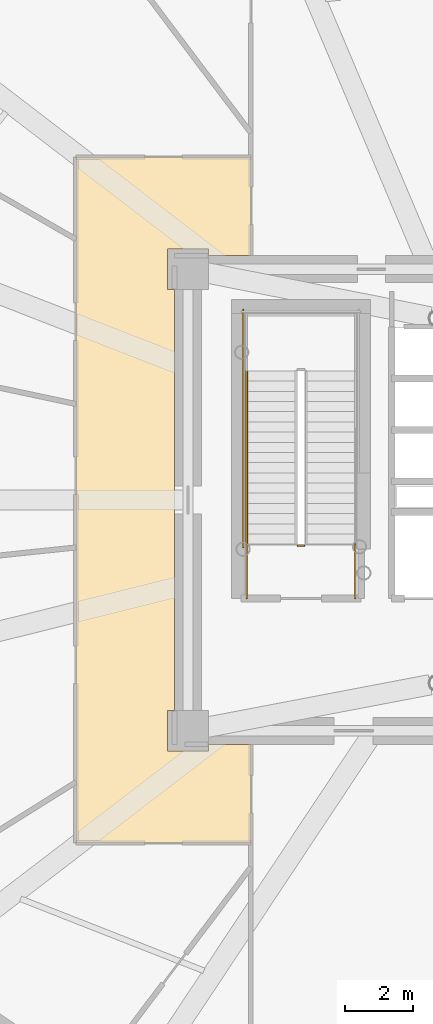
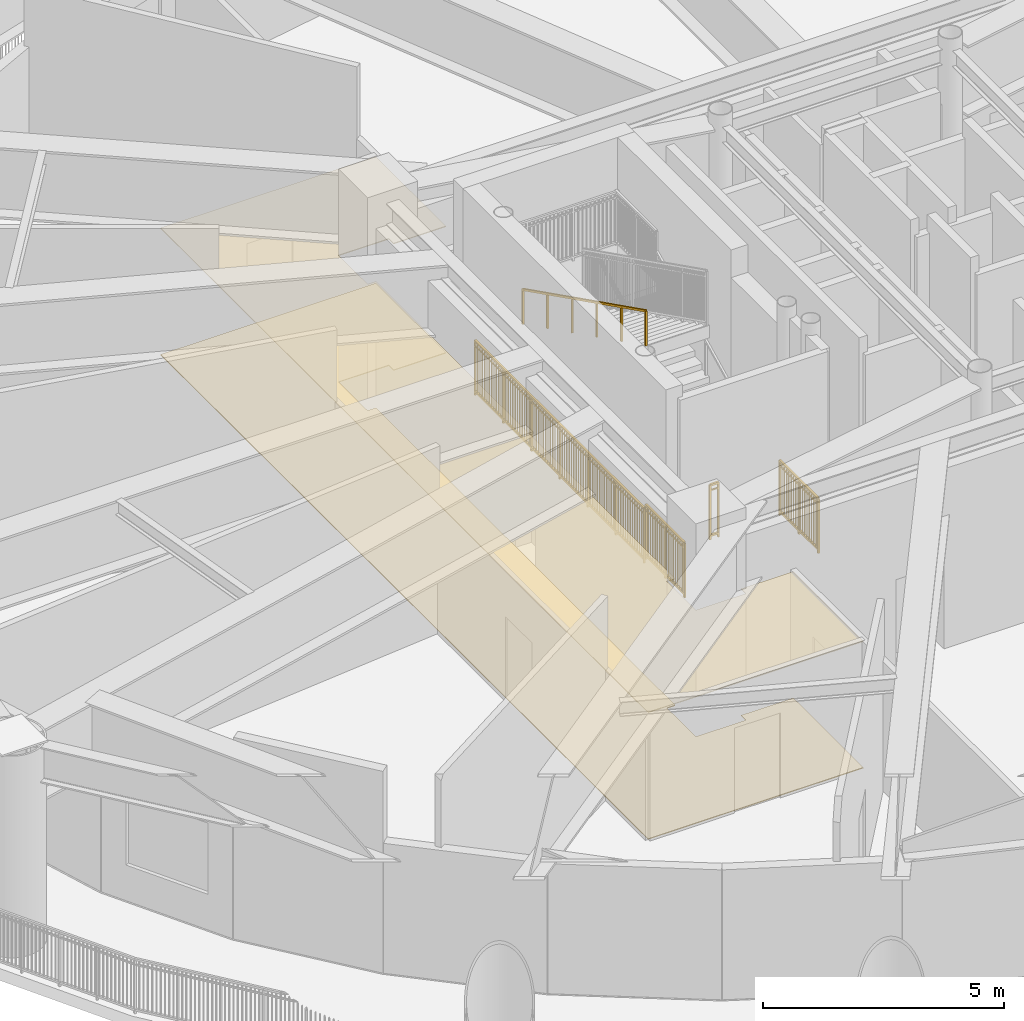
# One storey, part 9 of 15: 5 railings, 2 coverings.
"""IFC4 building model written with IfcOpenShell, lengths in metres."""

from ifc_helpers import new_model, si_unit, direction, frame, origin, origin_2d, place, context, subcontext, project, spatial, polyline, rectangle, outline, extrude, source, transform, mapped, material, layer, layer_set, type_object, element, save


model = new_model("IFC4")

# Units and contexts
model_context = context("Model", 3, precision=1e-05, world=origin(), true_north=direction((0.0, 1.0)))
body_context = subcontext(model_context, "Body", "Model", "MODEL_VIEW")
ifc_project = project(units=[si_unit("LENGTHUNIT", "METRE"), si_unit("AREAUNIT", "SQUARE_METRE"), si_unit("VOLUMEUNIT", "CUBIC_METRE"), si_unit("PLANEANGLEUNIT", "RADIAN"), si_unit("MASSUNIT", "GRAM", prefix="KILO")], contexts=[model_context])

# Site, building, storey
site_placement = place(None, origin())
site = spatial("IfcSite", under=ifc_project, at=site_placement, CompositionType="ELEMENT")
building_placement = place(site_placement, origin())
building = spatial("IfcBuilding", under=site, at=building_placement, Name="Linh Dai School and Residence Tower", CompositionType="ELEMENT")
storey_placement = place(building_placement, frame((0.0, 0.0, 145.949951171875)))
storey = spatial("IfcBuildingStorey", under=building, at=storey_placement, Name="L35", CompositionType="ELEMENT", Elevation=145.949951171875)

# Coverings
ifc_material_1 = material(Name="Mineral Fibre Acoustic Suspended Ceiling", Category="masonry")
ifc_layer_1 = layer(ifc_material_1, 0.02001953125)
ifc_layer_set_1 = layer_set([ifc_layer_1], Name="Mineral Fibre Acoustic Suspended Ceiling")
covering_type_1 = type_object("IfcCoveringType", Name="COV-CEIL-AC-20", PredefinedType="CEILING", material=ifc_layer_set_1)
covering_1_placement = place(storey_placement, frame((0.0, 0.0, 3.199951171875)))
element("IfcCovering", 1, at=covering_1_placement, inside=storey, type_object=covering_type_1, Name="L35 Plant and Refuge Access Corridor West Suspended Ceiling", PredefinedType="CEILING", context=body_context, shape_type="SweptSolid", body=[
    extrude(outline(polyline([(22.699951171875, 37.10009765625), (27.85009765625, 37.10009765625), (27.85009765625, 34.199951171875), (26.60009765625, 34.199951171875), (26.60009765625, 34.39990234375), (25.39990234375, 34.39990234375), (25.39990234375, 33.199951171875), (25.60009765625, 33.199951171875), (25.60009765625, 20.800048828125), (25.39990234375, 20.800048828125), (25.39990234375, 19.60009765625), (26.60009765625, 19.60009765625), (26.60009765625, 19.800048828125), (27.85009765625, 19.800048828125), (27.85009765625, 16.89990234375), (22.699951171875, 16.89990234375), (22.699951171875, 37.10009765625)])), origin(), (0.0, 0.0, 1.0), 0.02001953125),
])
ifc_material_2 = material(Name="Polished Terrazzo Floor Finish", Category="masonry")
ifc_layer_2 = layer(ifc_material_2, 0.02490234375)
ifc_layer_set_2 = layer_set([ifc_layer_2], Name="Polished Terrazzo Floor Finish")
covering_type_2 = type_object("IfcCoveringType", Name="COV-FLR-TRZ-25", PredefinedType="FLOORING", material=ifc_layer_set_2)
covering_2_placement = place(storey_placement, origin())
element("IfcCovering", 2, at=covering_2_placement, inside=storey, type_object=covering_type_2, Name="L35 Plant and Refuge Access Corridor West Floor Finish", PredefinedType="FLOORING", context=body_context, shape_type="SweptSolid", body=[
    extrude(outline(polyline([(22.699951171875, 37.10009765625), (27.85009765625, 37.10009765625), (27.85009765625, 34.199951171875), (26.60009765625, 34.199951171875), (26.60009765625, 34.39990234375), (25.39990234375, 34.39990234375), (25.39990234375, 33.199951171875), (25.60009765625, 33.199951171875), (25.60009765625, 20.800048828125), (25.39990234375, 20.800048828125), (25.39990234375, 19.60009765625), (26.60009765625, 19.60009765625), (26.60009765625, 19.800048828125), (27.85009765625, 19.800048828125), (27.85009765625, 16.89990234375), (22.699951171875, 16.89990234375), (22.699951171875, 37.10009765625)])), origin(), (0.0, 0.0, 1.0), 0.02001953125),
])

# Railings
ifc_material_3 = material(Name="Structural Steel S355JR", Category="steel")
railing_type_1 = type_object("IfcRailingType", Name="RL-ST-GUARD-1400", PredefinedType="GUARDRAIL", material=ifc_material_3)
shared_shape_1 = source(origin(), body_context, "Body", "SweptSolid", [
    extrude(rectangle(XDim=0.048095703125, YDim=0.048095703125, at=origin_2d()), frame((0.0, 0.0, 1.3759765625), z_axis=(-1.0, 0.0, 0.0), x_axis=(0.0, -1.0, 0.0)), (0.0, 0.0, 1.0), 0.199951171875),
    extrude(rectangle(XDim=0.048095703125, YDim=0.048095703125, at=origin_2d()), frame((0.0, 0.0, 0.10009765625), z_axis=(-1.0, 0.0, 0.0), x_axis=(0.0, -1.0, 0.0)), (0.0, 0.0, 1.0), 0.199951171875),
    extrude(rectangle(XDim=0.030029296875, YDim=0.030029296875, at=origin_2d()), frame((0.0, 0.0, 1.239990234375), z_axis=(-1.0, 0.0, 0.0), x_axis=(0.0, -1.0, 0.0)), (0.0, 0.0, 1.0), 0.199951171875),
    extrude(rectangle(XDim=0.0419921875, YDim=0.0419921875, at=origin_2d()), origin(), (0.0, 0.0, 1.0), 1.3759765625),
    extrude(rectangle(XDim=0.0419921875, YDim=0.0419921875, at=origin_2d()), frame((-0.199951171875, 0.0, 0.0)), (0.0, 0.0, 1.0), 1.3759765625),
])
railing_1_placement = place(storey_placement, frame((29.429931640625, 25.64990234375, 0.0)))
element("IfcRailing", 3, at=railing_1_placement, inside=storey, type_object=railing_type_1, Name="L35 ST1 stair guard 7", PredefinedType="GUARDRAIL", context=body_context, shape_type="MappedRepresentation", body=[
    mapped(shared_shape_1, transform((0.0, 0.0, 0.0), x_axis=(1.0, 0.0, 0.0), y_axis=(0.0, 1.0, 0.0), z_axis=(0.0, 0.0, 1.0), scale=1.0)),
])
shared_shape_2 = source(origin(), body_context, "Body", "SweptSolid", [
    extrude(rectangle(XDim=0.048095703125, YDim=0.048095703125, at=origin_2d()), frame((0.0, 0.0, 1.3759765625), z_axis=(0.0, 1.0, 0.0), x_axis=(-1.0, 0.0, 0.0)), (0.0, 0.0, 1.0), 1.599853515625),
    extrude(rectangle(XDim=0.048095703125, YDim=0.048095703125, at=origin_2d()), frame((0.0, 0.0, 0.10009765625), z_axis=(0.0, 1.0, 0.0), x_axis=(-1.0, 0.0, 0.0)), (0.0, 0.0, 1.0), 1.599853515625),
    extrude(rectangle(XDim=0.030029296875, YDim=0.030029296875, at=origin_2d()), frame((0.0, 0.0, 1.239990234375), z_axis=(0.0, 1.0, 0.0), x_axis=(-1.0, 0.0, 0.0)), (0.0, 0.0, 1.0), 1.599853515625),
    extrude(rectangle(XDim=0.02001953125, YDim=0.02001953125, at=origin_2d()), frame((0.0, 0.093994140625, 0.10009765625)), (0.0, 0.0, 1.0), 1.251708984375),
    extrude(rectangle(XDim=0.02001953125, YDim=0.02001953125, at=origin_2d()), frame((0.0, 0.188232421875, 0.10009765625)), (0.0, 0.0, 1.0), 1.251708984375),
    extrude(rectangle(XDim=0.02001953125, YDim=0.02001953125, at=origin_2d()), frame((0.0, 0.2822265625, 0.10009765625)), (0.0, 0.0, 1.0), 1.251708984375),
    extrude(rectangle(XDim=0.02001953125, YDim=0.02001953125, at=origin_2d()), frame((0.0, 0.37646484375, 0.10009765625)), (0.0, 0.0, 1.0), 1.251708984375),
    extrude(rectangle(XDim=0.02001953125, YDim=0.02001953125, at=origin_2d()), frame((0.0, 0.470458984375, 0.10009765625)), (0.0, 0.0, 1.0), 1.251708984375),
    extrude(rectangle(XDim=0.02001953125, YDim=0.02001953125, at=origin_2d()), frame((0.0, 0.564697265625, 0.10009765625)), (0.0, 0.0, 1.0), 1.251708984375),
    extrude(rectangle(XDim=0.02001953125, YDim=0.02001953125, at=origin_2d()), frame((0.0, 0.65869140625, 0.10009765625)), (0.0, 0.0, 1.0), 1.251708984375),
    extrude(rectangle(XDim=0.02001953125, YDim=0.02001953125, at=origin_2d()), frame((0.0, 0.7529296875, 0.10009765625)), (0.0, 0.0, 1.0), 1.251708984375),
    extrude(rectangle(XDim=0.02001953125, YDim=0.02001953125, at=origin_2d()), frame((0.0, 0.846923828125, 0.10009765625)), (0.0, 0.0, 1.0), 1.251708984375),
    extrude(rectangle(XDim=0.02001953125, YDim=0.02001953125, at=origin_2d()), frame((0.0, 0.941162109375, 0.10009765625)), (0.0, 0.0, 1.0), 1.251708984375),
    extrude(rectangle(XDim=0.02001953125, YDim=0.02001953125, at=origin_2d()), frame((0.0, 1.03515625, 0.10009765625)), (0.0, 0.0, 1.0), 1.251708984375),
    extrude(rectangle(XDim=0.02001953125, YDim=0.02001953125, at=origin_2d()), frame((0.0, 1.12939453125, 0.10009765625)), (0.0, 0.0, 1.0), 1.251708984375),
    extrude(rectangle(XDim=0.02001953125, YDim=0.02001953125, at=origin_2d()), frame((0.0, 1.223388671875, 0.10009765625)), (0.0, 0.0, 1.0), 1.251708984375),
    extrude(rectangle(XDim=0.02001953125, YDim=0.02001953125, at=origin_2d()), frame((0.0, 1.317626953125, 0.10009765625)), (0.0, 0.0, 1.0), 1.251708984375),
    extrude(rectangle(XDim=0.02001953125, YDim=0.02001953125, at=origin_2d()), frame((0.0, 1.41162109375, 0.10009765625)), (0.0, 0.0, 1.0), 1.251708984375),
    extrude(rectangle(XDim=0.02001953125, YDim=0.02001953125, at=origin_2d()), frame((0.0, 1.505859375, 0.10009765625)), (0.0, 0.0, 1.0), 1.251708984375),
    extrude(rectangle(XDim=0.0419921875, YDim=0.0419921875, at=origin_2d()), origin(), (0.0, 0.0, 1.0), 1.3759765625),
    extrude(rectangle(XDim=0.0419921875, YDim=0.0419921875, at=origin_2d()), frame((0.0, 0.7998046875, 0.0)), (0.0, 0.0, 1.0), 1.3759765625),
    extrude(rectangle(XDim=0.0419921875, YDim=0.0419921875, at=origin_2d()), frame((0.0, 1.599853515625, 0.0)), (0.0, 0.0, 1.0), 1.3759765625),
])
for number, where, name in (
    (4, (30.929931640625, 24.10009765625, 0.0), "L35 ST1 stair guard 8"),
    (5, (27.72998046875, 24.10009765625, 0.0), "L35 ST1 stair guard 9"),
):
    element("IfcRailing", number, at=place(storey_placement, frame(where)), inside=storey, type_object=railing_type_1, Name=name, PredefinedType="GUARDRAIL", context=body_context, shape_type="MappedRepresentation", body=[
        mapped(shared_shape_2, transform((0.0, 0.0, 0.0), x_axis=(1.0, 0.0, 0.0), y_axis=(0.0, 1.0, 0.0), z_axis=(0.0, 0.0, 1.0), scale=1.0)),
    ])
shared_shape_3 = source(origin(), body_context, "Body", "SweptSolid", [
    extrude(rectangle(XDim=0.048095703125, YDim=0.048095703125, at=origin_2d()), frame((0.0, 0.0, 1.3759765625), z_axis=(0.0, 1.0, 0.0), x_axis=(-1.0, 0.0, 0.0)), (0.0, 0.0, 1.0), 7.0),
    extrude(rectangle(XDim=0.048095703125, YDim=0.048095703125, at=origin_2d()), frame((0.0, 0.0, 0.10009765625), z_axis=(0.0, 1.0, 0.0), x_axis=(-1.0, 0.0, 0.0)), (0.0, 0.0, 1.0), 7.0),
    extrude(rectangle(XDim=0.030029296875, YDim=0.030029296875, at=origin_2d()), frame((0.0, 0.0, 1.239990234375), z_axis=(0.0, 1.0, 0.0), x_axis=(-1.0, 0.0, 0.0)), (0.0, 0.0, 1.0), 7.0),
    extrude(rectangle(XDim=0.02001953125, YDim=0.02001953125, at=origin_2d()), frame((0.0, 0.09716796875, 0.10009765625)), (0.0, 0.0, 1.0), 1.251708984375),
    extrude(rectangle(XDim=0.02001953125, YDim=0.02001953125, at=origin_2d()), frame((0.0, 0.1943359375, 0.10009765625)), (0.0, 0.0, 1.0), 1.251708984375),
    extrude(rectangle(XDim=0.02001953125, YDim=0.02001953125, at=origin_2d()), frame((0.0, 0.291748046875, 0.10009765625)), (0.0, 0.0, 1.0), 1.251708984375),
    extrude(rectangle(XDim=0.02001953125, YDim=0.02001953125, at=origin_2d()), frame((0.0, 0.388916015625, 0.10009765625)), (0.0, 0.0, 1.0), 1.251708984375),
    extrude(rectangle(XDim=0.02001953125, YDim=0.02001953125, at=origin_2d()), frame((0.0, 0.486083984375, 0.10009765625)), (0.0, 0.0, 1.0), 1.251708984375),
    extrude(rectangle(XDim=0.02001953125, YDim=0.02001953125, at=origin_2d()), frame((0.0, 0.583251953125, 0.10009765625)), (0.0, 0.0, 1.0), 1.251708984375),
    extrude(rectangle(XDim=0.02001953125, YDim=0.02001953125, at=origin_2d()), frame((0.0, 0.6806640625, 0.10009765625)), (0.0, 0.0, 1.0), 1.251708984375),
    extrude(rectangle(XDim=0.02001953125, YDim=0.02001953125, at=origin_2d()), frame((0.0, 0.77783203125, 0.10009765625)), (0.0, 0.0, 1.0), 1.251708984375),
    extrude(rectangle(XDim=0.02001953125, YDim=0.02001953125, at=origin_2d()), frame((0.0, 0.875, 0.10009765625)), (0.0, 0.0, 1.0), 1.251708984375),
    extrude(rectangle(XDim=0.02001953125, YDim=0.02001953125, at=origin_2d()), frame((0.0, 0.97216796875, 0.10009765625)), (0.0, 0.0, 1.0), 1.251708984375),
    extrude(rectangle(XDim=0.02001953125, YDim=0.02001953125, at=origin_2d()), frame((0.0, 1.0693359375, 0.10009765625)), (0.0, 0.0, 1.0), 1.251708984375),
    extrude(rectangle(XDim=0.02001953125, YDim=0.02001953125, at=origin_2d()), frame((0.0, 1.263916015625, 0.10009765625)), (0.0, 0.0, 1.0), 1.251708984375),
    extrude(rectangle(XDim=0.02001953125, YDim=0.02001953125, at=origin_2d()), frame((0.0, 1.361083984375, 0.10009765625)), (0.0, 0.0, 1.0), 1.251708984375),
    extrude(rectangle(XDim=0.02001953125, YDim=0.02001953125, at=origin_2d()), frame((0.0, 1.458251953125, 0.10009765625)), (0.0, 0.0, 1.0), 1.251708984375),
    extrude(rectangle(XDim=0.02001953125, YDim=0.02001953125, at=origin_2d()), frame((0.0, 1.5556640625, 0.10009765625)), (0.0, 0.0, 1.0), 1.251708984375),
    extrude(rectangle(XDim=0.02001953125, YDim=0.02001953125, at=origin_2d()), frame((0.0, 1.65283203125, 0.10009765625)), (0.0, 0.0, 1.0), 1.251708984375),
    extrude(rectangle(XDim=0.02001953125, YDim=0.02001953125, at=origin_2d()), frame((0.0, 1.75, 0.10009765625)), (0.0, 0.0, 1.0), 1.251708984375),
    extrude(rectangle(XDim=0.02001953125, YDim=0.02001953125, at=origin_2d()), frame((0.0, 1.84716796875, 0.10009765625)), (0.0, 0.0, 1.0), 1.251708984375),
    extrude(rectangle(XDim=0.02001953125, YDim=0.02001953125, at=origin_2d()), frame((0.0, 1.9443359375, 0.10009765625)), (0.0, 0.0, 1.0), 1.251708984375),
    extrude(rectangle(XDim=0.02001953125, YDim=0.02001953125, at=origin_2d()), frame((0.0, 2.041748046875, 0.10009765625)), (0.0, 0.0, 1.0), 1.251708984375),
    extrude(rectangle(XDim=0.02001953125, YDim=0.02001953125, at=origin_2d()), frame((0.0, 2.138916015625, 0.10009765625)), (0.0, 0.0, 1.0), 1.251708984375),
    extrude(rectangle(XDim=0.02001953125, YDim=0.02001953125, at=origin_2d()), frame((0.0, 2.236083984375, 0.10009765625)), (0.0, 0.0, 1.0), 1.251708984375),
    extrude(rectangle(XDim=0.02001953125, YDim=0.02001953125, at=origin_2d()), frame((0.0, 2.4306640625, 0.10009765625)), (0.0, 0.0, 1.0), 1.251708984375),
    extrude(rectangle(XDim=0.02001953125, YDim=0.02001953125, at=origin_2d()), frame((0.0, 2.52783203125, 0.10009765625)), (0.0, 0.0, 1.0), 1.251708984375),
    extrude(rectangle(XDim=0.02001953125, YDim=0.02001953125, at=origin_2d()), frame((0.0, 2.625, 0.10009765625)), (0.0, 0.0, 1.0), 1.251708984375),
    extrude(rectangle(XDim=0.02001953125, YDim=0.02001953125, at=origin_2d()), frame((0.0, 2.72216796875, 0.10009765625)), (0.0, 0.0, 1.0), 1.251708984375),
    extrude(rectangle(XDim=0.02001953125, YDim=0.02001953125, at=origin_2d()), frame((0.0, 2.8193359375, 0.10009765625)), (0.0, 0.0, 1.0), 1.251708984375),
    extrude(rectangle(XDim=0.02001953125, YDim=0.02001953125, at=origin_2d()), frame((0.0, 2.916748046875, 0.10009765625)), (0.0, 0.0, 1.0), 1.251708984375),
    extrude(rectangle(XDim=0.02001953125, YDim=0.02001953125, at=origin_2d()), frame((0.0, 3.013916015625, 0.10009765625)), (0.0, 0.0, 1.0), 1.251708984375),
    extrude(rectangle(XDim=0.02001953125, YDim=0.02001953125, at=origin_2d()), frame((0.0, 3.111083984375, 0.10009765625)), (0.0, 0.0, 1.0), 1.251708984375),
    extrude(rectangle(XDim=0.02001953125, YDim=0.02001953125, at=origin_2d()), frame((0.0, 3.208251953125, 0.10009765625)), (0.0, 0.0, 1.0), 1.251708984375),
    extrude(rectangle(XDim=0.02001953125, YDim=0.02001953125, at=origin_2d()), frame((0.0, 3.3056640625, 0.10009765625)), (0.0, 0.0, 1.0), 1.251708984375),
    extrude(rectangle(XDim=0.02001953125, YDim=0.02001953125, at=origin_2d()), frame((0.0, 3.40283203125, 0.10009765625)), (0.0, 0.0, 1.0), 1.251708984375),
    extrude(rectangle(XDim=0.02001953125, YDim=0.02001953125, at=origin_2d()), frame((0.0, 3.59716796875, 0.10009765625)), (0.0, 0.0, 1.0), 1.251708984375),
    extrude(rectangle(XDim=0.02001953125, YDim=0.02001953125, at=origin_2d()), frame((0.0, 3.6943359375, 0.10009765625)), (0.0, 0.0, 1.0), 1.251708984375),
    extrude(rectangle(XDim=0.02001953125, YDim=0.02001953125, at=origin_2d()), frame((0.0, 3.791748046875, 0.10009765625)), (0.0, 0.0, 1.0), 1.251708984375),
    extrude(rectangle(XDim=0.02001953125, YDim=0.02001953125, at=origin_2d()), frame((0.0, 3.888916015625, 0.10009765625)), (0.0, 0.0, 1.0), 1.251708984375),
    extrude(rectangle(XDim=0.02001953125, YDim=0.02001953125, at=origin_2d()), frame((0.0, 3.986083984375, 0.10009765625)), (0.0, 0.0, 1.0), 1.251708984375),
    extrude(rectangle(XDim=0.02001953125, YDim=0.02001953125, at=origin_2d()), frame((0.0, 4.083251953125, 0.10009765625)), (0.0, 0.0, 1.0), 1.251708984375),
    extrude(rectangle(XDim=0.02001953125, YDim=0.02001953125, at=origin_2d()), frame((0.0, 4.1806640625, 0.10009765625)), (0.0, 0.0, 1.0), 1.251708984375),
    extrude(rectangle(XDim=0.02001953125, YDim=0.02001953125, at=origin_2d()), frame((0.0, 4.27783203125, 0.10009765625)), (0.0, 0.0, 1.0), 1.251708984375),
    extrude(rectangle(XDim=0.02001953125, YDim=0.02001953125, at=origin_2d()), frame((0.0, 4.375, 0.10009765625)), (0.0, 0.0, 1.0), 1.251708984375),
    extrude(rectangle(XDim=0.02001953125, YDim=0.02001953125, at=origin_2d()), frame((0.0, 4.47216796875, 0.10009765625)), (0.0, 0.0, 1.0), 1.251708984375),
    extrude(rectangle(XDim=0.02001953125, YDim=0.02001953125, at=origin_2d()), frame((0.0, 4.5693359375, 0.10009765625)), (0.0, 0.0, 1.0), 1.251708984375),
    extrude(rectangle(XDim=0.02001953125, YDim=0.02001953125, at=origin_2d()), frame((0.0, 4.763916015625, 0.10009765625)), (0.0, 0.0, 1.0), 1.251708984375),
    extrude(rectangle(XDim=0.02001953125, YDim=0.02001953125, at=origin_2d()), frame((0.0, 4.861083984375, 0.10009765625)), (0.0, 0.0, 1.0), 1.251708984375),
    extrude(rectangle(XDim=0.02001953125, YDim=0.02001953125, at=origin_2d()), frame((0.0, 4.958251953125, 0.10009765625)), (0.0, 0.0, 1.0), 1.251708984375),
    extrude(rectangle(XDim=0.02001953125, YDim=0.02001953125, at=origin_2d()), frame((0.0, 5.0556640625, 0.10009765625)), (0.0, 0.0, 1.0), 1.251708984375),
    extrude(rectangle(XDim=0.02001953125, YDim=0.02001953125, at=origin_2d()), frame((0.0, 5.15283203125, 0.10009765625)), (0.0, 0.0, 1.0), 1.251708984375),
    extrude(rectangle(XDim=0.02001953125, YDim=0.02001953125, at=origin_2d()), frame((0.0, 5.25, 0.10009765625)), (0.0, 0.0, 1.0), 1.251708984375),
    extrude(rectangle(XDim=0.02001953125, YDim=0.02001953125, at=origin_2d()), frame((0.0, 5.34716796875, 0.10009765625)), (0.0, 0.0, 1.0), 1.251708984375),
    extrude(rectangle(XDim=0.02001953125, YDim=0.02001953125, at=origin_2d()), frame((0.0, 5.4443359375, 0.10009765625)), (0.0, 0.0, 1.0), 1.251708984375),
    extrude(rectangle(XDim=0.02001953125, YDim=0.02001953125, at=origin_2d()), frame((0.0, 5.541748046875, 0.10009765625)), (0.0, 0.0, 1.0), 1.251708984375),
    extrude(rectangle(XDim=0.02001953125, YDim=0.02001953125, at=origin_2d()), frame((0.0, 5.638916015625, 0.10009765625)), (0.0, 0.0, 1.0), 1.251708984375),
    extrude(rectangle(XDim=0.02001953125, YDim=0.02001953125, at=origin_2d()), frame((0.0, 5.736083984375, 0.10009765625)), (0.0, 0.0, 1.0), 1.251708984375),
    extrude(rectangle(XDim=0.02001953125, YDim=0.02001953125, at=origin_2d()), frame((0.0, 5.9306640625, 0.10009765625)), (0.0, 0.0, 1.0), 1.251708984375),
    extrude(rectangle(XDim=0.02001953125, YDim=0.02001953125, at=origin_2d()), frame((0.0, 6.02783203125, 0.10009765625)), (0.0, 0.0, 1.0), 1.251708984375),
    extrude(rectangle(XDim=0.02001953125, YDim=0.02001953125, at=origin_2d()), frame((0.0, 6.125, 0.10009765625)), (0.0, 0.0, 1.0), 1.251708984375),
    extrude(rectangle(XDim=0.02001953125, YDim=0.02001953125, at=origin_2d()), frame((0.0, 6.22216796875, 0.10009765625)), (0.0, 0.0, 1.0), 1.251708984375),
    extrude(rectangle(XDim=0.02001953125, YDim=0.02001953125, at=origin_2d()), frame((0.0, 6.3193359375, 0.10009765625)), (0.0, 0.0, 1.0), 1.251708984375),
    extrude(rectangle(XDim=0.02001953125, YDim=0.02001953125, at=origin_2d()), frame((0.0, 6.416748046875, 0.10009765625)), (0.0, 0.0, 1.0), 1.251708984375),
    extrude(rectangle(XDim=0.02001953125, YDim=0.02001953125, at=origin_2d()), frame((0.0, 6.513916015625, 0.10009765625)), (0.0, 0.0, 1.0), 1.251708984375),
    extrude(rectangle(XDim=0.02001953125, YDim=0.02001953125, at=origin_2d()), frame((0.0, 6.611083984375, 0.10009765625)), (0.0, 0.0, 1.0), 1.251708984375),
    extrude(rectangle(XDim=0.02001953125, YDim=0.02001953125, at=origin_2d()), frame((0.0, 6.708251953125, 0.10009765625)), (0.0, 0.0, 1.0), 1.251708984375),
    extrude(rectangle(XDim=0.02001953125, YDim=0.02001953125, at=origin_2d()), frame((0.0, 6.8056640625, 0.10009765625)), (0.0, 0.0, 1.0), 1.251708984375),
    extrude(rectangle(XDim=0.02001953125, YDim=0.02001953125, at=origin_2d()), frame((0.0, 6.90283203125, 0.10009765625)), (0.0, 0.0, 1.0), 1.251708984375),
    extrude(rectangle(XDim=0.0419921875, YDim=0.0419921875, at=origin_2d()), origin(), (0.0, 0.0, 1.0), 1.3759765625),
    extrude(rectangle(XDim=0.0419921875, YDim=0.0419921875, at=origin_2d()), frame((0.0, 1.166748046875, 0.0)), (0.0, 0.0, 1.0), 1.3759765625),
    extrude(rectangle(XDim=0.0419921875, YDim=0.0419921875, at=origin_2d()), frame((0.0, 2.333251953125, 0.0)), (0.0, 0.0, 1.0), 1.3759765625),
    extrude(rectangle(XDim=0.0419921875, YDim=0.0419921875, at=origin_2d()), frame((0.0, 3.5, 0.0)), (0.0, 0.0, 1.0), 1.3759765625),
    extrude(rectangle(XDim=0.0419921875, YDim=0.0419921875, at=origin_2d()), frame((0.0, 4.666748046875, 0.0)), (0.0, 0.0, 1.0), 1.3759765625),
    extrude(rectangle(XDim=0.0419921875, YDim=0.0419921875, at=origin_2d()), frame((0.0, 5.833251953125, 0.0)), (0.0, 0.0, 1.0), 1.3759765625),
    extrude(rectangle(XDim=0.0419921875, YDim=0.0419921875, at=origin_2d()), frame((0.0, 7.0, 0.0)), (0.0, 0.0, 1.0), 1.3759765625),
])
railing_2_placement = place(storey_placement, frame((27.6298828125, 25.60009765625, 0.0)))
element("IfcRailing", 6, at=railing_2_placement, inside=storey, type_object=railing_type_1, Name="L35 ST1 stair guard 11", PredefinedType="GUARDRAIL", context=body_context, shape_type="MappedRepresentation", body=[
    mapped(shared_shape_3, transform((0.0, 0.0, 0.0), x_axis=(1.0, 0.0, 0.0), y_axis=(0.0, 1.0, 0.0), z_axis=(0.0, 0.0, 1.0), scale=1.0)),
])
ifc_material_4 = material(Name="Brushed Stainless Steel Handrail", Category="steel")
railing_type_2 = type_object("IfcRailingType", Name="RL-ST-HANDRAIL-900", PredefinedType="HANDRAIL", material=ifc_material_4)
shared_shape_4 = source(origin(), body_context, "Body", "SweptSolid", [
    extrude(rectangle(XDim=0.048095703125, YDim=0.048095703125, at=origin_2d()), frame((0.0, 0.0, 0.8759765625), z_axis=(0.0, -0.894427191, 0.4472135955), x_axis=(1.0, 0.0, 0.0)), (0.0, 0.0, 1.0), 5.7021484375),
    extrude(rectangle(XDim=0.0419921875, YDim=0.0419921875, at=origin_2d()), origin(), (0.0, 0.0, 1.0), 0.8759765625),
    extrude(rectangle(XDim=0.0419921875, YDim=0.0419921875, at=origin_2d()), frame((0.0, -1.02001953125, 0.510009765625)), (0.0, 0.0, 1.0), 0.8759765625),
    extrude(rectangle(XDim=0.0419921875, YDim=0.0419921875, at=origin_2d()), frame((0.0, -2.0400390625, 1.02001953125)), (0.0, 0.0, 1.0), 0.8759765625),
    extrude(rectangle(XDim=0.0419921875, YDim=0.0419921875, at=origin_2d()), frame((0.0, -3.06005859375, 1.530029296875)), (0.0, 0.0, 1.0), 0.8759765625),
    extrude(rectangle(XDim=0.0419921875, YDim=0.0419921875, at=origin_2d()), frame((0.0, -4.080078125, 2.0400390625)), (0.0, 0.0, 1.0), 0.8759765625),
    extrude(rectangle(XDim=0.0419921875, YDim=0.0419921875, at=origin_2d()), frame((0.0, -5.10009765625, 2.550048828125)), (0.0, 0.0, 1.0), 0.8759765625),
])
railing_3_placement = place(storey_placement, frame((27.72998046875, 30.800048828125, 2.85009765625)))
element("IfcRailing", 7, at=railing_3_placement, inside=storey, type_object=railing_type_2, Name="L35 ST1 stair handrail 2", PredefinedType="HANDRAIL", context=body_context, shape_type="MappedRepresentation", body=[
    mapped(shared_shape_4, transform((0.0, 0.0, 0.0), x_axis=(1.0, 0.0, 0.0), y_axis=(0.0, 1.0, 0.0), z_axis=(0.0, 0.0, 1.0), scale=1.0)),
])

save(model, "model.ifc")
